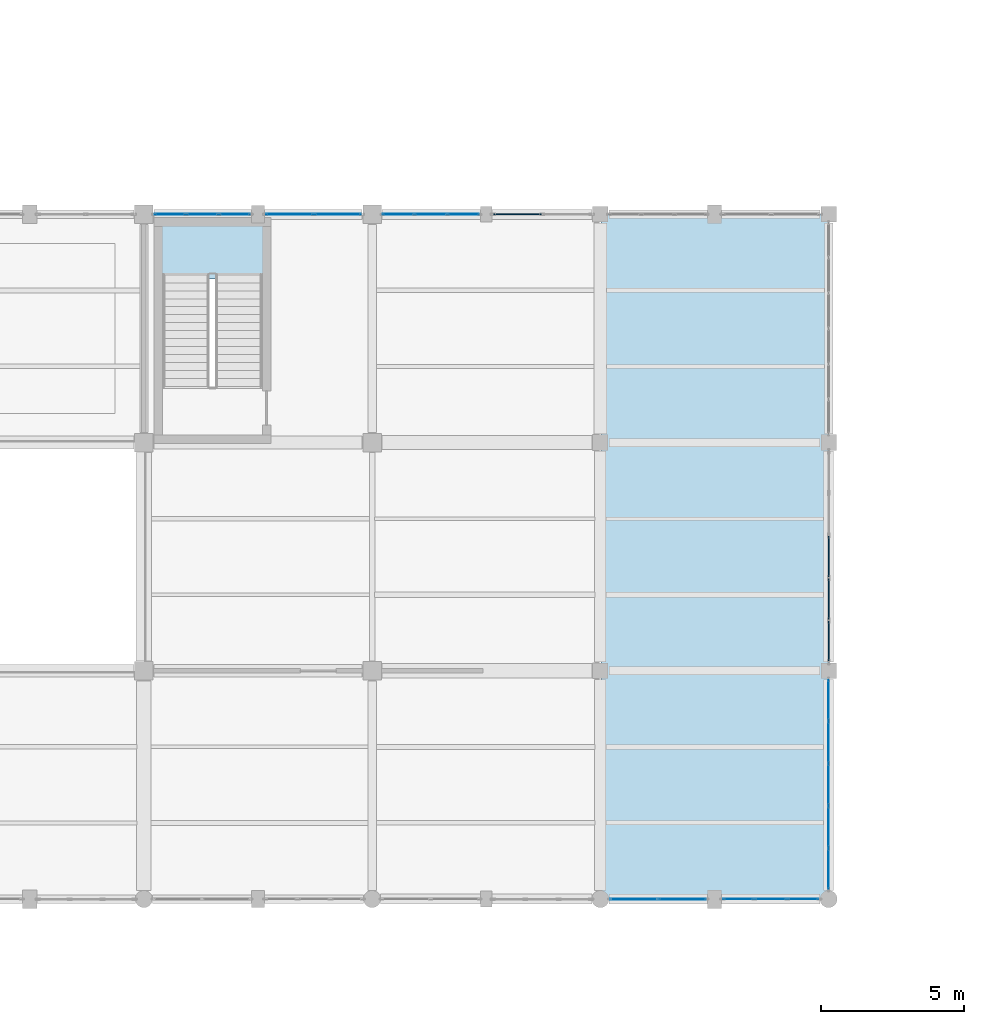
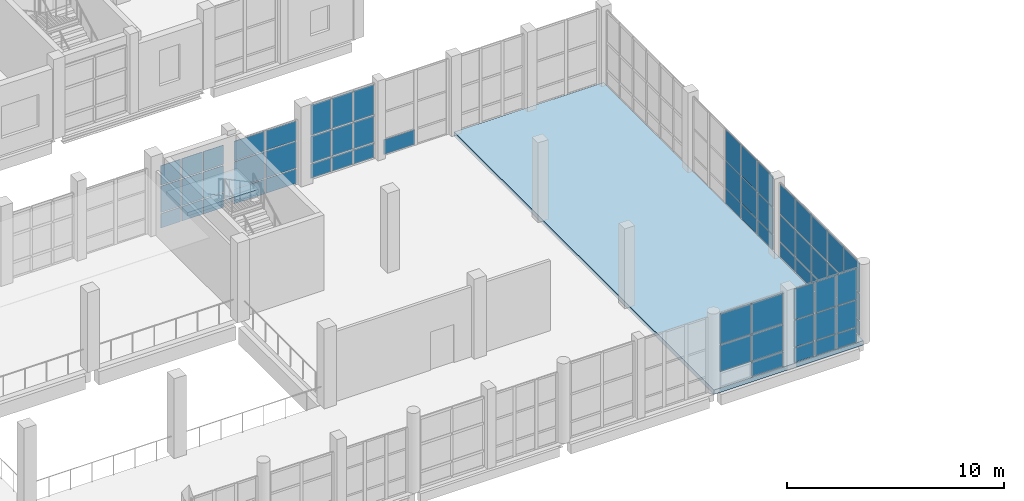
# One storey, part 118 of 183: 63 plates, 2 slabs, 9 elements without a shape of their own.
"""IFC4 building model written with IfcOpenShell, lengths in metres."""

from ifc_helpers import new_model, si_unit, direction, frame, origin, origin_2d, place, context, subcontext, project, spatial, polyline, rectangle, outline, extrude, material, layer, layer_set, type_object, element, aggregate, save


model = new_model("IFC4")

# Units and contexts
model_context = context("Model", 3, precision=1e-05, world=origin(), true_north=direction((0.0, 1.0)))
body_context = subcontext(model_context, "Body", "Model", "MODEL_VIEW")
ifc_project = project(units=[si_unit("LENGTHUNIT", "METRE"), si_unit("AREAUNIT", "SQUARE_METRE"), si_unit("VOLUMEUNIT", "CUBIC_METRE"), si_unit("PLANEANGLEUNIT", "RADIAN"), si_unit("MASSUNIT", "GRAM", prefix="KILO")], contexts=[model_context])

# Site, building, storey
site_placement = place(None, origin())
site = spatial("IfcSite", under=ifc_project, at=site_placement, CompositionType="ELEMENT")
building_placement = place(site_placement, origin())
building = spatial("IfcBuilding", under=site, at=building_placement, Name="Luwemba Playhouse", CompositionType="ELEMENT")
storey_placement = place(building_placement, frame((0.0, 0.0, 4.800048828125)))
storey = spatial("IfcBuildingStorey", under=building, at=storey_placement, Name="L01", CompositionType="ELEMENT", Elevation=4.800048828125)

# Curtain wall, plates
ifc_material_1 = material(Name="Solar-control double glazing", Category="glass")
curtain_wall_type_1 = type_object("IfcCurtainWallType", Name="CW-CW99", PredefinedType="USERDEFINED", material=ifc_material_1)
curtain_wall_1_placement = place(storey_placement, origin())
curtain_wall_1 = element("IfcCurtainWall", 1, at=curtain_wall_1_placement, inside=storey, type_object=curtain_wall_type_1, Name="L01 V5W unitised curtain wall 130", ObjectType="UNITISED GLAZING", PredefinedType="USERDEFINED")
ifc_layer_1 = layer(ifc_material_1, 0.02392578125)
ifc_layer_set_1 = layer_set([ifc_layer_1], Name="Solar-control double glazing")
plate_type_1 = type_object("IfcPlateType", Name="CWP-P1", PredefinedType="CURTAIN_PANEL", material=ifc_layer_set_1)
plate_1_placement = place(storey_placement, frame((36.9150390625, 27.0, 0.059814453125), z_axis=(0.0, 0.0, 1.0), x_axis=(1.0, 0.0, 0.0)))
plate_1 = element("IfcPlate", 2, at=plate_1_placement, type_object=plate_type_1, Name="CW99 panel 1.1", PredefinedType="CURTAIN_PANEL", context=body_context, shape_type="SweptSolid", body=[
    extrude(rectangle(XDim=1.06005859375, YDim=0.02392578125, at=origin_2d()), origin(), (0.0, 0.0, 1.0), 0.81005859375),
])
plate_2_placement = place(storey_placement, frame((36.9150390625, 27.0, 0.93017578125), z_axis=(0.0, 0.0, 1.0), x_axis=(1.0, 0.0, 0.0)))
plate_2 = element("IfcPlate", 3, at=plate_2_placement, type_object=plate_type_1, Name="CW99 panel 1.2", PredefinedType="CURTAIN_PANEL", context=body_context, shape_type="SweptSolid", body=[
    extrude(rectangle(XDim=1.06005859375, YDim=0.02392578125, at=origin_2d()), origin(), (0.0, 0.0, 1.0), 1.489990234375),
])
plate_3_placement = place(storey_placement, frame((36.9150390625, 27.0, 2.47998046875), z_axis=(0.0, 0.0, 1.0), x_axis=(1.0, 0.0, 0.0)))
plate_3 = element("IfcPlate", 4, at=plate_3_placement, type_object=plate_type_1, Name="CW99 panel 1.3", PredefinedType="CURTAIN_PANEL", context=body_context, shape_type="SweptSolid", body=[
    extrude(rectangle(XDim=1.06005859375, YDim=0.02392578125, at=origin_2d()), origin(), (0.0, 0.0, 1.0), 1.094970703125),
])
plate_4_placement = place(storey_placement, frame((38.050048828125, 27.0, 0.059814453125), z_axis=(0.0, 0.0, 1.0), x_axis=(1.0, 0.0, 0.0)))
plate_4 = element("IfcPlate", 5, at=plate_4_placement, type_object=plate_type_1, Name="CW99 panel 2.1", PredefinedType="CURTAIN_PANEL", context=body_context, shape_type="SweptSolid", body=[
    extrude(rectangle(XDim=1.090087890625, YDim=0.02392578125, at=origin_2d()), origin(), (0.0, 0.0, 1.0), 0.81005859375),
])
plate_5_placement = place(storey_placement, frame((38.050048828125, 27.0, 0.93017578125), z_axis=(0.0, 0.0, 1.0), x_axis=(1.0, 0.0, 0.0)))
plate_5 = element("IfcPlate", 6, at=plate_5_placement, type_object=plate_type_1, Name="CW99 panel 2.2", PredefinedType="CURTAIN_PANEL", context=body_context, shape_type="SweptSolid", body=[
    extrude(rectangle(XDim=1.090087890625, YDim=0.02392578125, at=origin_2d()), origin(), (0.0, 0.0, 1.0), 1.489990234375),
])
plate_6_placement = place(storey_placement, frame((38.050048828125, 27.0, 2.47998046875), z_axis=(0.0, 0.0, 1.0), x_axis=(1.0, 0.0, 0.0)))
plate_6 = element("IfcPlate", 7, at=plate_6_placement, type_object=plate_type_1, Name="CW99 panel 2.3", PredefinedType="CURTAIN_PANEL", context=body_context, shape_type="SweptSolid", body=[
    extrude(rectangle(XDim=1.090087890625, YDim=0.02392578125, at=origin_2d()), origin(), (0.0, 0.0, 1.0), 1.094970703125),
])
plate_7_placement = place(storey_placement, frame((39.18505859375, 27.0, 0.059814453125), z_axis=(0.0, 0.0, 1.0), x_axis=(1.0, 0.0, 0.0)))
plate_7 = element("IfcPlate", 8, at=plate_7_placement, type_object=plate_type_1, Name="CW99 panel 3.1", PredefinedType="CURTAIN_PANEL", context=body_context, shape_type="SweptSolid", body=[
    extrude(rectangle(XDim=1.06005859375, YDim=0.02392578125, at=origin_2d()), origin(), (0.0, 0.0, 1.0), 0.81005859375),
])
plate_8_placement = place(storey_placement, frame((39.18505859375, 27.0, 0.93017578125), z_axis=(0.0, 0.0, 1.0), x_axis=(1.0, 0.0, 0.0)))
plate_8 = element("IfcPlate", 9, at=plate_8_placement, type_object=plate_type_1, Name="CW99 panel 3.2", PredefinedType="CURTAIN_PANEL", context=body_context, shape_type="SweptSolid", body=[
    extrude(rectangle(XDim=1.06005859375, YDim=0.02392578125, at=origin_2d()), origin(), (0.0, 0.0, 1.0), 1.489990234375),
])
plate_9_placement = place(storey_placement, frame((39.18505859375, 27.0, 2.47998046875), z_axis=(0.0, 0.0, 1.0), x_axis=(1.0, 0.0, 0.0)))
plate_9 = element("IfcPlate", 10, at=plate_9_placement, type_object=plate_type_1, Name="CW99 panel 3.3", PredefinedType="CURTAIN_PANEL", context=body_context, shape_type="SweptSolid", body=[
    extrude(rectangle(XDim=1.06005859375, YDim=0.02392578125, at=origin_2d()), origin(), (0.0, 0.0, 1.0), 1.094970703125),
])
aggregate(curtain_wall_1, [plate_1, plate_2, plate_3, plate_4, plate_5, plate_6, plate_7, plate_8, plate_9])

curtain_wall_type_2 = type_object("IfcCurtainWallType", Name="CW-CW106", PredefinedType="USERDEFINED", material=ifc_material_1)
curtain_wall_2_placement = place(storey_placement, origin())
curtain_wall_2 = element("IfcCurtainWall", 11, at=curtain_wall_2_placement, inside=storey, type_object=curtain_wall_type_2, Name="L01 V5W unitised curtain wall 138", ObjectType="UNITISED GLAZING", PredefinedType="USERDEFINED")
plate_10_placement = place(storey_placement, frame((60.0, 9.967529296875, 0.059814453125), z_axis=(0.0, 0.0, 1.0), x_axis=(0.0, -1.0, 0.0)))
plate_10 = element("IfcPlate", 12, at=plate_10_placement, type_object=plate_type_1, Name="CW106 panel 1.1", PredefinedType="CURTAIN_PANEL", context=body_context, shape_type="SweptSolid", body=[
    extrude(rectangle(XDim=1.39501953125, YDim=0.02392578125, at=origin_2d()), origin(), (0.0, 0.0, 1.0), 0.81005859375),
])
plate_11_placement = place(storey_placement, frame((60.0, 9.967529296875, 0.93017578125), z_axis=(0.0, 0.0, 1.0), x_axis=(0.0, -1.0, 0.0)))
plate_11 = element("IfcPlate", 13, at=plate_11_placement, type_object=plate_type_1, Name="CW106 panel 1.2", PredefinedType="CURTAIN_PANEL", context=body_context, shape_type="SweptSolid", body=[
    extrude(rectangle(XDim=1.39501953125, YDim=0.02392578125, at=origin_2d()), origin(), (0.0, 0.0, 1.0), 1.489990234375),
])
plate_12_placement = place(storey_placement, frame((60.0, 9.967529296875, 2.47998046875), z_axis=(0.0, 0.0, 1.0), x_axis=(0.0, -1.0, 0.0)))
plate_12 = element("IfcPlate", 14, at=plate_12_placement, type_object=plate_type_1, Name="CW106 panel 1.3", PredefinedType="CURTAIN_PANEL", context=body_context, shape_type="SweptSolid", body=[
    extrude(rectangle(XDim=1.39501953125, YDim=0.02392578125, at=origin_2d()), origin(), (0.0, 0.0, 1.0), 1.7099609375),
])
plate_13_placement = place(storey_placement, frame((60.0, 8.49755859375, 0.059814453125), z_axis=(0.0, 0.0, 1.0), x_axis=(0.0, -1.0, 0.0)))
plate_13 = element("IfcPlate", 15, at=plate_13_placement, type_object=plate_type_1, Name="CW106 panel 2.1", PredefinedType="CURTAIN_PANEL", context=body_context, shape_type="SweptSolid", body=[
    extrude(rectangle(XDim=1.425048828125, YDim=0.02392578125, at=origin_2d()), origin(), (0.0, 0.0, 1.0), 0.81005859375),
])
plate_14_placement = place(storey_placement, frame((60.0, 8.49755859375, 0.93017578125), z_axis=(0.0, 0.0, 1.0), x_axis=(0.0, -1.0, 0.0)))
plate_14 = element("IfcPlate", 16, at=plate_14_placement, type_object=plate_type_1, Name="CW106 panel 2.2", PredefinedType="CURTAIN_PANEL", context=body_context, shape_type="SweptSolid", body=[
    extrude(rectangle(XDim=1.425048828125, YDim=0.02392578125, at=origin_2d()), origin(), (0.0, 0.0, 1.0), 1.489990234375),
])
plate_15_placement = place(storey_placement, frame((60.0, 8.49755859375, 2.47998046875), z_axis=(0.0, 0.0, 1.0), x_axis=(0.0, -1.0, 0.0)))
plate_15 = element("IfcPlate", 17, at=plate_15_placement, type_object=plate_type_1, Name="CW106 panel 2.3", PredefinedType="CURTAIN_PANEL", context=body_context, shape_type="SweptSolid", body=[
    extrude(rectangle(XDim=1.425048828125, YDim=0.02392578125, at=origin_2d()), origin(), (0.0, 0.0, 1.0), 1.7099609375),
])
plate_16_placement = place(storey_placement, frame((60.0, 7.012451171875, 0.059814453125), z_axis=(0.0, 0.0, 1.0), x_axis=(0.0, -1.0, 0.0)))
plate_16 = element("IfcPlate", 18, at=plate_16_placement, type_object=plate_type_1, Name="CW106 panel 3.1", PredefinedType="CURTAIN_PANEL", context=body_context, shape_type="SweptSolid", body=[
    extrude(rectangle(XDim=1.425048828125, YDim=0.02392578125, at=origin_2d()), origin(), (0.0, 0.0, 1.0), 0.81005859375),
])
plate_17_placement = place(storey_placement, frame((60.0, 7.012451171875, 0.93017578125), z_axis=(0.0, 0.0, 1.0), x_axis=(0.0, -1.0, 0.0)))
plate_17 = element("IfcPlate", 19, at=plate_17_placement, type_object=plate_type_1, Name="CW106 panel 3.2", PredefinedType="CURTAIN_PANEL", context=body_context, shape_type="SweptSolid", body=[
    extrude(rectangle(XDim=1.425048828125, YDim=0.02392578125, at=origin_2d()), origin(), (0.0, 0.0, 1.0), 1.489990234375),
])
plate_18_placement = place(storey_placement, frame((60.0, 7.012451171875, 2.47998046875), z_axis=(0.0, 0.0, 1.0), x_axis=(0.0, -1.0, 0.0)))
plate_18 = element("IfcPlate", 20, at=plate_18_placement, type_object=plate_type_1, Name="CW106 panel 3.3", PredefinedType="CURTAIN_PANEL", context=body_context, shape_type="SweptSolid", body=[
    extrude(rectangle(XDim=1.425048828125, YDim=0.02392578125, at=origin_2d()), origin(), (0.0, 0.0, 1.0), 1.7099609375),
])
plate_19_placement = place(storey_placement, frame((60.0, 5.527587890625, 0.059814453125), z_axis=(0.0, 0.0, 1.0), x_axis=(0.0, -1.0, 0.0)))
plate_19 = element("IfcPlate", 21, at=plate_19_placement, type_object=plate_type_1, Name="CW106 panel 4.1", PredefinedType="CURTAIN_PANEL", context=body_context, shape_type="SweptSolid", body=[
    extrude(rectangle(XDim=1.425048828125, YDim=0.02392578125, at=origin_2d()), origin(), (0.0, 0.0, 1.0), 0.81005859375),
])
plate_20_placement = place(storey_placement, frame((60.0, 5.527587890625, 0.93017578125), z_axis=(0.0, 0.0, 1.0), x_axis=(0.0, -1.0, 0.0)))
plate_20 = element("IfcPlate", 22, at=plate_20_placement, type_object=plate_type_1, Name="CW106 panel 4.2", PredefinedType="CURTAIN_PANEL", context=body_context, shape_type="SweptSolid", body=[
    extrude(rectangle(XDim=1.425048828125, YDim=0.02392578125, at=origin_2d()), origin(), (0.0, 0.0, 1.0), 1.489990234375),
])
plate_21_placement = place(storey_placement, frame((60.0, 5.527587890625, 2.47998046875), z_axis=(0.0, 0.0, 1.0), x_axis=(0.0, -1.0, 0.0)))
plate_21 = element("IfcPlate", 23, at=plate_21_placement, type_object=plate_type_1, Name="CW106 panel 4.3", PredefinedType="CURTAIN_PANEL", context=body_context, shape_type="SweptSolid", body=[
    extrude(rectangle(XDim=1.425048828125, YDim=0.02392578125, at=origin_2d()), origin(), (0.0, 0.0, 1.0), 1.7099609375),
])
plate_22_placement = place(storey_placement, frame((60.0, 4.0576171875, 0.059814453125), z_axis=(0.0, 0.0, 1.0), x_axis=(0.0, -1.0, 0.0)))
plate_22 = element("IfcPlate", 24, at=plate_22_placement, type_object=plate_type_1, Name="CW106 panel 5.1", PredefinedType="CURTAIN_PANEL", context=body_context, shape_type="SweptSolid", body=[
    extrude(rectangle(XDim=1.39501953125, YDim=0.02392578125, at=origin_2d()), origin(), (0.0, 0.0, 1.0), 0.81005859375),
])
plate_23_placement = place(storey_placement, frame((60.0, 4.0576171875, 0.93017578125), z_axis=(0.0, 0.0, 1.0), x_axis=(0.0, -1.0, 0.0)))
plate_23 = element("IfcPlate", 25, at=plate_23_placement, type_object=plate_type_1, Name="CW106 panel 5.2", PredefinedType="CURTAIN_PANEL", context=body_context, shape_type="SweptSolid", body=[
    extrude(rectangle(XDim=1.39501953125, YDim=0.02392578125, at=origin_2d()), origin(), (0.0, 0.0, 1.0), 1.489990234375),
])
plate_24_placement = place(storey_placement, frame((60.0, 4.0576171875, 2.47998046875), z_axis=(0.0, 0.0, 1.0), x_axis=(0.0, -1.0, 0.0)))
plate_24 = element("IfcPlate", 26, at=plate_24_placement, type_object=plate_type_1, Name="CW106 panel 5.3", PredefinedType="CURTAIN_PANEL", context=body_context, shape_type="SweptSolid", body=[
    extrude(rectangle(XDim=1.39501953125, YDim=0.02392578125, at=origin_2d()), origin(), (0.0, 0.0, 1.0), 1.7099609375),
])
aggregate(curtain_wall_2, [plate_10, plate_11, plate_12, plate_13, plate_14, plate_15, plate_16, plate_17, plate_18, plate_19, plate_20, plate_21, plate_22, plate_23, plate_24])

curtain_wall_type_3 = type_object("IfcCurtainWallType", Name="CW-CW100", PredefinedType="USERDEFINED", material=ifc_material_1)
curtain_wall_3_placement = place(storey_placement, origin())
curtain_wall_3 = element("IfcCurtainWall", 27, at=curtain_wall_3_placement, inside=storey, type_object=curtain_wall_type_3, Name="L01 V5W unitised curtain wall 131", ObjectType="UNITISED GLAZING", PredefinedType="USERDEFINED")
ifc_layer_2 = layer(ifc_material_1, 0.028076171875)
ifc_layer_set_2 = layer_set([ifc_layer_2], Name="Solar-control double glazing")
plate_type_2 = type_object("IfcPlateType", Name="CWP-P2", PredefinedType="CURTAIN_PANEL", material=ifc_layer_set_2)
plate_25_placement = place(storey_placement, frame((41.103759765625, 27.0, 0.054931640625), z_axis=(0.0, 0.0, 1.0), x_axis=(1.0, 0.0, 0.0)))
plate_25 = element("IfcPlate", 28, at=plate_25_placement, type_object=plate_type_2, Name="CW100 panel 1.1", PredefinedType="CURTAIN_PANEL", context=body_context, shape_type="SweptSolid", body=[
    extrude(rectangle(XDim=1.62744140625, YDim=0.028076171875, at=origin_2d()), origin(), (0.0, 0.0, 1.0), 0.8173828125),
])
plate_26_placement = place(storey_placement, frame((41.103759765625, 27.0, 0.927490234375), z_axis=(0.0, 0.0, 1.0), x_axis=(1.0, 0.0, 0.0)))
plate_26 = element("IfcPlate", 29, at=plate_26_placement, type_object=plate_type_2, Name="CW100 panel 1.2", PredefinedType="CURTAIN_PANEL", context=body_context, shape_type="SweptSolid", body=[
    extrude(rectangle(XDim=1.62744140625, YDim=0.028076171875, at=origin_2d()), origin(), (0.0, 0.0, 1.0), 1.4951171875),
])
plate_27_placement = place(storey_placement, frame((41.103759765625, 27.0, 2.4775390625), z_axis=(0.0, 0.0, 1.0), x_axis=(1.0, 0.0, 0.0)))
plate_27 = element("IfcPlate", 30, at=plate_27_placement, type_object=plate_type_2, Name="CW100 panel 1.3", PredefinedType="CURTAIN_PANEL", context=body_context, shape_type="SweptSolid", body=[
    extrude(rectangle(XDim=1.62744140625, YDim=0.028076171875, at=origin_2d()), origin(), (0.0, 0.0, 1.0), 1.1025390625),
])
plate_28_placement = place(storey_placement, frame((42.796142578125, 27.0, 0.054931640625), z_axis=(0.0, 0.0, 1.0), x_axis=(1.0, 0.0, 0.0)))
plate_28 = element("IfcPlate", 31, at=plate_28_placement, type_object=plate_type_2, Name="CW100 panel 2.1", PredefinedType="CURTAIN_PANEL", context=body_context, shape_type="SweptSolid", body=[
    extrude(rectangle(XDim=1.62744140625, YDim=0.028076171875, at=origin_2d()), origin(), (0.0, 0.0, 1.0), 0.8173828125),
])
plate_29_placement = place(storey_placement, frame((42.796142578125, 27.0, 0.927490234375), z_axis=(0.0, 0.0, 1.0), x_axis=(1.0, 0.0, 0.0)))
plate_29 = element("IfcPlate", 32, at=plate_29_placement, type_object=plate_type_2, Name="CW100 panel 2.2", PredefinedType="CURTAIN_PANEL", context=body_context, shape_type="SweptSolid", body=[
    extrude(rectangle(XDim=1.62744140625, YDim=0.028076171875, at=origin_2d()), origin(), (0.0, 0.0, 1.0), 1.4951171875),
])
plate_30_placement = place(storey_placement, frame((42.796142578125, 27.0, 2.4775390625), z_axis=(0.0, 0.0, 1.0), x_axis=(1.0, 0.0, 0.0)))
plate_30 = element("IfcPlate", 33, at=plate_30_placement, type_object=plate_type_2, Name="CW100 panel 2.3", PredefinedType="CURTAIN_PANEL", context=body_context, shape_type="SweptSolid", body=[
    extrude(rectangle(XDim=1.62744140625, YDim=0.028076171875, at=origin_2d()), origin(), (0.0, 0.0, 1.0), 1.1025390625),
])
aggregate(curtain_wall_3, [plate_25, plate_26, plate_27, plate_28, plate_29, plate_30])

curtain_wall_type_4 = type_object("IfcCurtainWallType", Name="CW-CW107", PredefinedType="USERDEFINED", material=ifc_material_1)
curtain_wall_4_placement = place(storey_placement, origin())
curtain_wall_4 = element("IfcCurtainWall", 34, at=curtain_wall_4_placement, inside=storey, type_object=curtain_wall_type_4, Name="L01 V5W unitised curtain wall 139", ObjectType="UNITISED GLAZING", PredefinedType="USERDEFINED")
plate_31_placement = place(storey_placement, frame((59.108642578125, 3.0, 0.054931640625), z_axis=(0.0, 0.0, 1.0), x_axis=(-1.0, 0.0, 0.0)))
plate_31 = element("IfcPlate", 35, at=plate_31_placement, type_object=plate_type_2, Name="CW107 panel 1.1", PredefinedType="CURTAIN_PANEL", context=body_context, shape_type="SweptSolid", body=[
    extrude(rectangle(XDim=1.052490234375, YDim=0.028076171875, at=origin_2d()), origin(), (0.0, 0.0, 1.0), 0.8173828125),
])
plate_32_placement = place(storey_placement, frame((59.108642578125, 3.0, 0.927490234375), z_axis=(0.0, 0.0, 1.0), x_axis=(-1.0, 0.0, 0.0)))
plate_32 = element("IfcPlate", 36, at=plate_32_placement, type_object=plate_type_2, Name="CW107 panel 1.2", PredefinedType="CURTAIN_PANEL", context=body_context, shape_type="SweptSolid", body=[
    extrude(rectangle(XDim=1.052490234375, YDim=0.028076171875, at=origin_2d()), origin(), (0.0, 0.0, 1.0), 1.4951171875),
])
plate_33_placement = place(storey_placement, frame((59.108642578125, 3.0, 2.4775390625), z_axis=(0.0, 0.0, 1.0), x_axis=(-1.0, 0.0, 0.0)))
plate_33 = element("IfcPlate", 37, at=plate_33_placement, type_object=plate_type_2, Name="CW107 panel 1.3", PredefinedType="CURTAIN_PANEL", context=body_context, shape_type="SweptSolid", body=[
    extrude(rectangle(XDim=1.052490234375, YDim=0.028076171875, at=origin_2d()), origin(), (0.0, 0.0, 1.0), 1.717529296875),
])
plate_34_placement = place(storey_placement, frame((57.97509765625, 3.0, 0.054931640625), z_axis=(0.0, 0.0, 1.0), x_axis=(-1.0, 0.0, 0.0)))
plate_34 = element("IfcPlate", 38, at=plate_34_placement, type_object=plate_type_2, Name="CW107 panel 2.1", PredefinedType="CURTAIN_PANEL", context=body_context, shape_type="SweptSolid", body=[
    extrude(rectangle(XDim=1.0849609375, YDim=0.028076171875, at=origin_2d()), origin(), (0.0, 0.0, 1.0), 0.8173828125),
])
plate_35_placement = place(storey_placement, frame((57.97509765625, 3.0, 0.927490234375), z_axis=(0.0, 0.0, 1.0), x_axis=(-1.0, 0.0, 0.0)))
plate_35 = element("IfcPlate", 39, at=plate_35_placement, type_object=plate_type_2, Name="CW107 panel 2.2", PredefinedType="CURTAIN_PANEL", context=body_context, shape_type="SweptSolid", body=[
    extrude(rectangle(XDim=1.0849609375, YDim=0.028076171875, at=origin_2d()), origin(), (0.0, 0.0, 1.0), 1.4951171875),
])
plate_36_placement = place(storey_placement, frame((57.97509765625, 3.0, 2.4775390625), z_axis=(0.0, 0.0, 1.0), x_axis=(-1.0, 0.0, 0.0)))
plate_36 = element("IfcPlate", 40, at=plate_36_placement, type_object=plate_type_2, Name="CW107 panel 2.3", PredefinedType="CURTAIN_PANEL", context=body_context, shape_type="SweptSolid", body=[
    extrude(rectangle(XDim=1.0849609375, YDim=0.028076171875, at=origin_2d()), origin(), (0.0, 0.0, 1.0), 1.717529296875),
])
plate_37_placement = place(storey_placement, frame((56.84130859375, 3.0, 0.054931640625), z_axis=(0.0, 0.0, 1.0), x_axis=(-1.0, 0.0, 0.0)))
plate_37 = element("IfcPlate", 41, at=plate_37_placement, type_object=plate_type_2, Name="CW107 panel 3.1", PredefinedType="CURTAIN_PANEL", context=body_context, shape_type="SweptSolid", body=[
    extrude(rectangle(XDim=1.052490234375, YDim=0.028076171875, at=origin_2d()), origin(), (0.0, 0.0, 1.0), 0.8173828125),
])
plate_38_placement = place(storey_placement, frame((56.84130859375, 3.0, 0.927490234375), z_axis=(0.0, 0.0, 1.0), x_axis=(-1.0, 0.0, 0.0)))
plate_38 = element("IfcPlate", 42, at=plate_38_placement, type_object=plate_type_2, Name="CW107 panel 3.2", PredefinedType="CURTAIN_PANEL", context=body_context, shape_type="SweptSolid", body=[
    extrude(rectangle(XDim=1.052490234375, YDim=0.028076171875, at=origin_2d()), origin(), (0.0, 0.0, 1.0), 1.4951171875),
])
plate_39_placement = place(storey_placement, frame((56.84130859375, 3.0, 2.4775390625), z_axis=(0.0, 0.0, 1.0), x_axis=(-1.0, 0.0, 0.0)))
plate_39 = element("IfcPlate", 43, at=plate_39_placement, type_object=plate_type_2, Name="CW107 panel 3.3", PredefinedType="CURTAIN_PANEL", context=body_context, shape_type="SweptSolid", body=[
    extrude(rectangle(XDim=1.052490234375, YDim=0.028076171875, at=origin_2d()), origin(), (0.0, 0.0, 1.0), 1.717529296875),
])
aggregate(curtain_wall_4, [plate_31, plate_32, plate_33, plate_34, plate_35, plate_36, plate_37, plate_38, plate_39])

curtain_wall_type_5 = type_object("IfcCurtainWallType", Name="CW-CW101", PredefinedType="USERDEFINED", material=ifc_material_1)
curtain_wall_5_placement = place(storey_placement, origin())
curtain_wall_5 = element("IfcCurtainWall", 44, at=curtain_wall_5_placement, inside=storey, type_object=curtain_wall_type_5, Name="L01 V5W unitised curtain wall 132", ObjectType="UNITISED GLAZING", PredefinedType="USERDEFINED")
ifc_layer_3 = layer(ifc_material_1, 0.031982421875)
ifc_layer_set_3 = layer_set([ifc_layer_3], Name="Solar-control double glazing")
plate_type_3 = type_object("IfcPlateType", Name="CWP-P3", PredefinedType="CURTAIN_PANEL", material=ifc_layer_set_3)
plate_40_placement = place(storey_placement, frame((44.91796875, 27.0, 0.06494140625), z_axis=(0.0, 0.0, 1.0), x_axis=(1.0, 0.0, 0.0)))
plate_40 = element("IfcPlate", 45, at=plate_40_placement, type_object=plate_type_3, Name="CW101 panel 1.1", PredefinedType="CURTAIN_PANEL", context=body_context, shape_type="SweptSolid", body=[
    extrude(rectangle(XDim=1.075927734375, YDim=0.031982421875, at=origin_2d()), origin(), (0.0, 0.0, 1.0), 0.802490234375),
])
plate_41_placement = place(storey_placement, frame((44.91796875, 27.0, 0.9326171875), z_axis=(0.0, 0.0, 1.0), x_axis=(1.0, 0.0, 0.0)))
plate_41 = element("IfcPlate", 46, at=plate_41_placement, type_object=plate_type_3, Name="CW101 panel 1.2", PredefinedType="CURTAIN_PANEL", context=body_context, shape_type="SweptSolid", body=[
    extrude(rectangle(XDim=1.075927734375, YDim=0.031982421875, at=origin_2d()), origin(), (0.0, 0.0, 1.0), 1.485107421875),
])
plate_42_placement = place(storey_placement, frame((44.91796875, 27.0, 2.482421875), z_axis=(0.0, 0.0, 1.0), x_axis=(1.0, 0.0, 0.0)))
plate_42 = element("IfcPlate", 47, at=plate_42_placement, type_object=plate_type_3, Name="CW101 panel 1.3", PredefinedType="CURTAIN_PANEL", context=body_context, shape_type="SweptSolid", body=[
    extrude(rectangle(XDim=1.075927734375, YDim=0.031982421875, at=origin_2d()), origin(), (0.0, 0.0, 1.0), 1.702392578125),
])
plate_43_placement = place(storey_placement, frame((46.0625, 27.0, 0.06494140625), z_axis=(0.0, 0.0, 1.0), x_axis=(1.0, 0.0, 0.0)))
plate_43 = element("IfcPlate", 48, at=plate_43_placement, type_object=plate_type_3, Name="CW101 panel 2.1", PredefinedType="CURTAIN_PANEL", context=body_context, shape_type="SweptSolid", body=[
    extrude(rectangle(XDim=1.103271484375, YDim=0.031982421875, at=origin_2d()), origin(), (0.0, 0.0, 1.0), 0.802490234375),
])
plate_44_placement = place(storey_placement, frame((46.0625, 27.0, 0.9326171875), z_axis=(0.0, 0.0, 1.0), x_axis=(1.0, 0.0, 0.0)))
plate_44 = element("IfcPlate", 49, at=plate_44_placement, type_object=plate_type_3, Name="CW101 panel 2.2", PredefinedType="CURTAIN_PANEL", context=body_context, shape_type="SweptSolid", body=[
    extrude(rectangle(XDim=1.103271484375, YDim=0.031982421875, at=origin_2d()), origin(), (0.0, 0.0, 1.0), 1.485107421875),
])
plate_45_placement = place(storey_placement, frame((46.0625, 27.0, 2.482421875), z_axis=(0.0, 0.0, 1.0), x_axis=(1.0, 0.0, 0.0)))
plate_45 = element("IfcPlate", 50, at=plate_45_placement, type_object=plate_type_3, Name="CW101 panel 2.3", PredefinedType="CURTAIN_PANEL", context=body_context, shape_type="SweptSolid", body=[
    extrude(rectangle(XDim=1.103271484375, YDim=0.031982421875, at=origin_2d()), origin(), (0.0, 0.0, 1.0), 1.702392578125),
])
plate_46_placement = place(storey_placement, frame((47.20703125, 27.0, 0.06494140625), z_axis=(0.0, 0.0, 1.0), x_axis=(1.0, 0.0, 0.0)))
plate_46 = element("IfcPlate", 51, at=plate_46_placement, type_object=plate_type_3, Name="CW101 panel 3.1", PredefinedType="CURTAIN_PANEL", context=body_context, shape_type="SweptSolid", body=[
    extrude(rectangle(XDim=1.075927734375, YDim=0.031982421875, at=origin_2d()), origin(), (0.0, 0.0, 1.0), 0.802490234375),
])
plate_47_placement = place(storey_placement, frame((47.20703125, 27.0, 0.9326171875), z_axis=(0.0, 0.0, 1.0), x_axis=(1.0, 0.0, 0.0)))
plate_47 = element("IfcPlate", 52, at=plate_47_placement, type_object=plate_type_3, Name="CW101 panel 3.2", PredefinedType="CURTAIN_PANEL", context=body_context, shape_type="SweptSolid", body=[
    extrude(rectangle(XDim=1.075927734375, YDim=0.031982421875, at=origin_2d()), origin(), (0.0, 0.0, 1.0), 1.485107421875),
])
plate_48_placement = place(storey_placement, frame((47.20703125, 27.0, 2.482421875), z_axis=(0.0, 0.0, 1.0), x_axis=(1.0, 0.0, 0.0)))
plate_48 = element("IfcPlate", 53, at=plate_48_placement, type_object=plate_type_3, Name="CW101 panel 3.3", PredefinedType="CURTAIN_PANEL", context=body_context, shape_type="SweptSolid", body=[
    extrude(rectangle(XDim=1.075927734375, YDim=0.031982421875, at=origin_2d()), origin(), (0.0, 0.0, 1.0), 1.702392578125),
])
aggregate(curtain_wall_5, [plate_40, plate_41, plate_42, plate_43, plate_44, plate_45, plate_46, plate_47, plate_48])

curtain_wall_type_6 = type_object("IfcCurtainWallType", Name="CW-CW108", PredefinedType="USERDEFINED", material=ifc_material_1)
curtain_wall_6_placement = place(storey_placement, origin())
curtain_wall_6 = element("IfcCurtainWall", 54, at=curtain_wall_6_placement, inside=storey, type_object=curtain_wall_type_6, Name="L01 V5W unitised curtain wall 140", ObjectType="UNITISED GLAZING", PredefinedType="USERDEFINED")
plate_49_placement = place(storey_placement, frame((54.873779296875, 3.0, 0.06494140625), z_axis=(0.0, 0.0, 1.0), x_axis=(-1.0, 0.0, 0.0)))
plate_49 = element("IfcPlate", 55, at=plate_49_placement, type_object=plate_type_3, Name="CW108 panel 1.1", PredefinedType="CURTAIN_PANEL", context=body_context, shape_type="SweptSolid", body=[
    extrude(rectangle(XDim=1.642578125, YDim=0.031982421875, at=origin_2d()), origin(), (0.0, 0.0, 1.0), 0.802490234375),
])
plate_50_placement = place(storey_placement, frame((54.873779296875, 3.0, 0.9326171875), z_axis=(0.0, 0.0, 1.0), x_axis=(-1.0, 0.0, 0.0)))
plate_50 = element("IfcPlate", 56, at=plate_50_placement, type_object=plate_type_3, Name="CW108 panel 1.2", PredefinedType="CURTAIN_PANEL", context=body_context, shape_type="SweptSolid", body=[
    extrude(rectangle(XDim=1.642578125, YDim=0.031982421875, at=origin_2d()), origin(), (0.0, 0.0, 1.0), 1.485107421875),
])
plate_51_placement = place(storey_placement, frame((54.873779296875, 3.0, 2.482421875), z_axis=(0.0, 0.0, 1.0), x_axis=(-1.0, 0.0, 0.0)))
plate_51 = element("IfcPlate", 57, at=plate_51_placement, type_object=plate_type_3, Name="CW108 panel 1.3", PredefinedType="CURTAIN_PANEL", context=body_context, shape_type="SweptSolid", body=[
    extrude(rectangle(XDim=1.642578125, YDim=0.031982421875, at=origin_2d()), origin(), (0.0, 0.0, 1.0), 1.702392578125),
])
plate_52_placement = place(storey_placement, frame((53.17626953125, 3.0, 0.9326171875), z_axis=(0.0, 0.0, 1.0), x_axis=(-1.0, 0.0, 0.0)))
plate_52 = element("IfcPlate", 58, at=plate_52_placement, type_object=plate_type_3, Name="CW108 panel 2.2", PredefinedType="CURTAIN_PANEL", context=body_context, shape_type="SweptSolid", body=[
    extrude(rectangle(XDim=1.642578125, YDim=0.031982421875, at=origin_2d()), origin(), (0.0, 0.0, 1.0), 1.485107421875),
])
plate_53_placement = place(storey_placement, frame((53.17626953125, 3.0, 2.482421875), z_axis=(0.0, 0.0, 1.0), x_axis=(-1.0, 0.0, 0.0)))
plate_53 = element("IfcPlate", 59, at=plate_53_placement, type_object=plate_type_3, Name="CW108 panel 2.3", PredefinedType="CURTAIN_PANEL", context=body_context, shape_type="SweptSolid", body=[
    extrude(rectangle(XDim=1.642578125, YDim=0.031982421875, at=origin_2d()), origin(), (0.0, 0.0, 1.0), 1.702392578125),
])
aggregate(curtain_wall_6, [plate_49, plate_50, plate_51, plate_52, plate_53])

# Curtain wall, plate
curtain_wall_type_7 = type_object("IfcCurtainWallType", Name="CW-CW102", PredefinedType="USERDEFINED", material=ifc_material_1)
curtain_wall_7_placement = place(storey_placement, origin())
curtain_wall_7 = element("IfcCurtainWall", 60, at=curtain_wall_7_placement, inside=storey, type_object=curtain_wall_type_7, Name="L01 V5W unitised curtain wall 133", ObjectType="UNITISED GLAZING", PredefinedType="USERDEFINED")
ifc_layer_4 = layer(ifc_material_1, 0.035888671875)
ifc_layer_set_4 = layer_set([ifc_layer_4], Name="Solar-control double glazing")
plate_type_4 = type_object("IfcPlateType", Name="CWP-P4", PredefinedType="CURTAIN_PANEL", material=ifc_layer_set_4)
plate_54_placement = place(storey_placement, frame((49.0986328125, 27.0, 0.0498046875), z_axis=(0.0, 0.0, 1.0), x_axis=(1.0, 0.0, 0.0)))
plate_54 = element("IfcPlate", 61, at=plate_54_placement, type_object=plate_type_4, Name="CW102 panel 1.1", PredefinedType="CURTAIN_PANEL", context=body_context, shape_type="SweptSolid", body=[
    extrude(rectangle(XDim=1.657470703125, YDim=0.035888671875, at=origin_2d()), origin(), (0.0, 0.0, 1.0), 0.824951171875),
])
aggregate(curtain_wall_7, [plate_54])

# Curtain wall, plates
curtain_wall_type_8 = type_object("IfcCurtainWallType", Name="CW-CW73", PredefinedType="USERDEFINED", material=ifc_material_1)
curtain_wall_8_placement = place(storey_placement, origin())
curtain_wall_8 = element("IfcCurtainWall", 62, at=curtain_wall_8_placement, inside=storey, type_object=curtain_wall_type_8, Name="L01 V5W unitised curtain wall 137", ObjectType="UNITISED GLAZING", PredefinedType="USERDEFINED")
plate_55_placement = place(storey_placement, frame((60.0, 15.0, 0.0498046875), z_axis=(0.0, 0.0, 1.0), x_axis=(0.0, -1.0, 0.0)))
plate_55 = element("IfcPlate", 63, at=plate_55_placement, type_object=plate_type_4, Name="CW73 panel 3.1", PredefinedType="CURTAIN_PANEL", context=body_context, shape_type="SweptSolid", body=[
    extrude(rectangle(XDim=1.419921875, YDim=0.035888671875, at=origin_2d()), origin(), (0.0, 0.0, 1.0), 0.824951171875),
])
plate_56_placement = place(storey_placement, frame((60.0, 15.0, 0.925048828125), z_axis=(0.0, 0.0, 1.0), x_axis=(0.0, -1.0, 0.0)))
plate_56 = element("IfcPlate", 64, at=plate_56_placement, type_object=plate_type_4, Name="CW73 panel 3.2", PredefinedType="CURTAIN_PANEL", context=body_context, shape_type="SweptSolid", body=[
    extrude(rectangle(XDim=1.419921875, YDim=0.035888671875, at=origin_2d()), origin(), (0.0, 0.0, 1.0), 1.5),
])
plate_57_placement = place(storey_placement, frame((60.0, 15.0, 2.474853515625), z_axis=(0.0, 0.0, 1.0), x_axis=(0.0, -1.0, 0.0)))
plate_57 = element("IfcPlate", 65, at=plate_57_placement, type_object=plate_type_4, Name="CW73 panel 3.3", PredefinedType="CURTAIN_PANEL", context=body_context, shape_type="SweptSolid", body=[
    extrude(rectangle(XDim=1.419921875, YDim=0.035888671875, at=origin_2d()), origin(), (0.0, 0.0, 1.0), 1.72509765625),
])
plate_58_placement = place(storey_placement, frame((60.0, 13.510009765625, 0.0498046875), z_axis=(0.0, 0.0, 1.0), x_axis=(0.0, -1.0, 0.0)))
plate_58 = element("IfcPlate", 66, at=plate_58_placement, type_object=plate_type_4, Name="CW73 panel 4.1", PredefinedType="CURTAIN_PANEL", context=body_context, shape_type="SweptSolid", body=[
    extrude(rectangle(XDim=1.419921875, YDim=0.035888671875, at=origin_2d()), origin(), (0.0, 0.0, 1.0), 0.824951171875),
])
plate_59_placement = place(storey_placement, frame((60.0, 13.510009765625, 0.925048828125), z_axis=(0.0, 0.0, 1.0), x_axis=(0.0, -1.0, 0.0)))
plate_59 = element("IfcPlate", 67, at=plate_59_placement, type_object=plate_type_4, Name="CW73 panel 4.2", PredefinedType="CURTAIN_PANEL", context=body_context, shape_type="SweptSolid", body=[
    extrude(rectangle(XDim=1.419921875, YDim=0.035888671875, at=origin_2d()), origin(), (0.0, 0.0, 1.0), 1.5),
])
plate_60_placement = place(storey_placement, frame((60.0, 13.510009765625, 2.474853515625), z_axis=(0.0, 0.0, 1.0), x_axis=(0.0, -1.0, 0.0)))
plate_60 = element("IfcPlate", 68, at=plate_60_placement, type_object=plate_type_4, Name="CW73 panel 4.3", PredefinedType="CURTAIN_PANEL", context=body_context, shape_type="SweptSolid", body=[
    extrude(rectangle(XDim=1.419921875, YDim=0.035888671875, at=origin_2d()), origin(), (0.0, 0.0, 1.0), 1.72509765625),
])
plate_61_placement = place(storey_placement, frame((60.0, 12.03759765625, 0.0498046875), z_axis=(0.0, 0.0, 1.0), x_axis=(0.0, -1.0, 0.0)))
plate_61 = element("IfcPlate", 69, at=plate_61_placement, type_object=plate_type_4, Name="CW73 panel 5.1", PredefinedType="CURTAIN_PANEL", context=body_context, shape_type="SweptSolid", body=[
    extrude(rectangle(XDim=1.385009765625, YDim=0.035888671875, at=origin_2d()), origin(), (0.0, 0.0, 1.0), 0.824951171875),
])
plate_62_placement = place(storey_placement, frame((60.0, 12.03759765625, 0.925048828125), z_axis=(0.0, 0.0, 1.0), x_axis=(0.0, -1.0, 0.0)))
plate_62 = element("IfcPlate", 70, at=plate_62_placement, type_object=plate_type_4, Name="CW73 panel 5.2", PredefinedType="CURTAIN_PANEL", context=body_context, shape_type="SweptSolid", body=[
    extrude(rectangle(XDim=1.385009765625, YDim=0.035888671875, at=origin_2d()), origin(), (0.0, 0.0, 1.0), 1.5),
])
plate_63_placement = place(storey_placement, frame((60.0, 12.03759765625, 2.474853515625), z_axis=(0.0, 0.0, 1.0), x_axis=(0.0, -1.0, 0.0)))
plate_63 = element("IfcPlate", 71, at=plate_63_placement, type_object=plate_type_4, Name="CW73 panel 5.3", PredefinedType="CURTAIN_PANEL", context=body_context, shape_type="SweptSolid", body=[
    extrude(rectangle(XDim=1.385009765625, YDim=0.035888671875, at=origin_2d()), origin(), (0.0, 0.0, 1.0), 1.72509765625),
])
aggregate(curtain_wall_8, [plate_55, plate_56, plate_57, plate_58, plate_59, plate_60, plate_61, plate_62, plate_63])

# Slab
ifc_material_2 = material(Name="Concrete C40/50", Category="concrete")
ifc_layer_5 = layer(ifc_material_2, 0.25)
ifc_layer_set_5 = layer_set([ifc_layer_5], Name="Concrete C40/50")
slab_type_1 = type_object("IfcSlabType", Name="SLB-FLR-250", PredefinedType="FLOOR", material=ifc_layer_set_5)
slab_1_placement = place(storey_placement, frame((0.0, 0.0, -0.25)))
element("IfcSlab", 72, at=slab_1_placement, inside=storey, type_object=slab_type_1, Name="L01 V5W structural floor slab-MJ", PredefinedType="FLOOR", context=body_context, shape_type="SweptSolid", body=[
    extrude(outline(polyline([(60.0, 27.0), (60.0, 3.0), (52.030029296875, 3.0), (52.030029296875, 27.0), (60.0, 27.0)])), origin(), (0.0, 0.0, 1.0), 0.25),
])

# Stair, slab
stair_type = type_object("IfcStairType", Name="STR-DL-04", PredefinedType="HALF_TURN_STAIR", material=ifc_material_2)
stair_placement = place(storey_placement, origin())
stair = element("IfcStair", 73, at=stair_placement, inside=storey, type_object=stair_type, Name="L01 Grand Foyer North-East Escape Stair", PredefinedType="HALF_TURN_STAIR")
ifc_layer_6 = layer(ifc_material_2, 0.215087890625)
ifc_layer_set_6 = layer_set([ifc_layer_6], Name="Concrete C40/50")
slab_type_2 = type_object("IfcSlabType", Name="SLB-LND-215", PredefinedType="LANDING", material=ifc_layer_set_6)
slab_2_placement = place(storey_placement, frame((0.0, 0.0, 2.050048828125)))
slab_2 = element("IfcSlab", 74, at=slab_2_placement, type_object=slab_type_2, Name="ST-13 landing 1", PredefinedType="LANDING", context=body_context, shape_type="SweptSolid", body=[
    extrude(outline(polyline([(40.2900390625, 24.739990234375), (36.510009765625, 24.739990234375), (36.510009765625, 26.719970703125), (40.2900390625, 26.719970703125), (40.2900390625, 24.739990234375)])), origin(), (0.0, 0.0, 1.0), 0.199951171875),
])
aggregate(stair, [slab_2])

save(model, "model.ifc")
